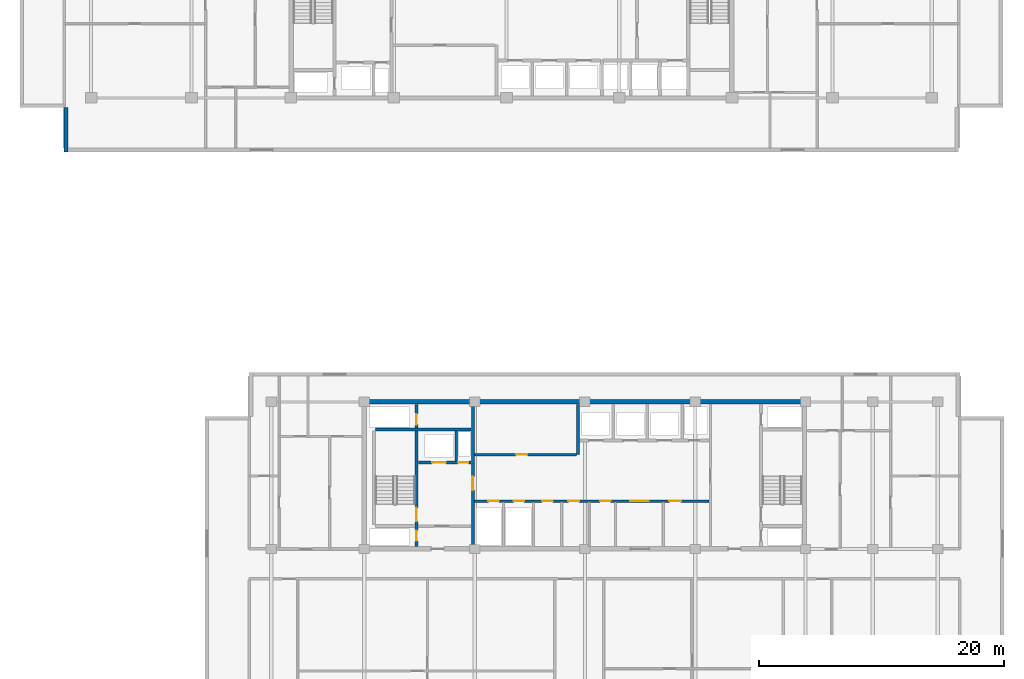
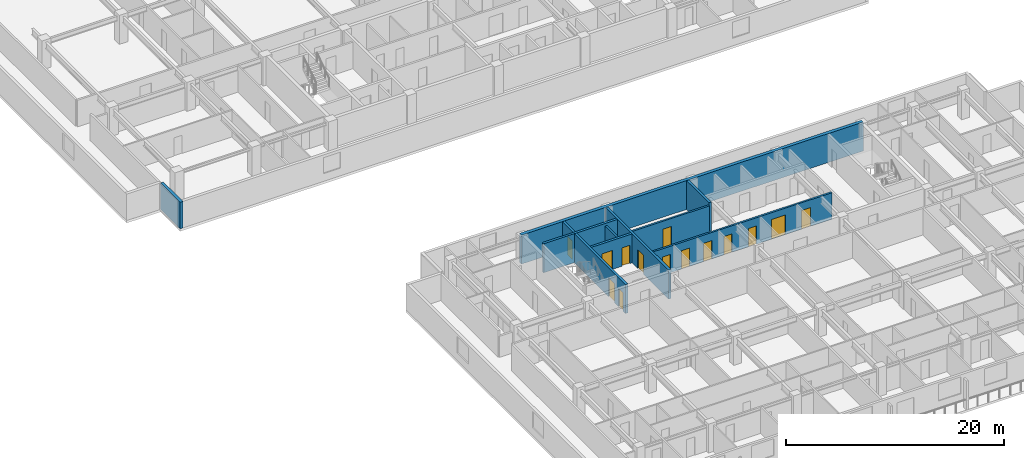
# One storey, part 7 of 22: 14 doors, 10 walls, 14 openings.
"""IFC4 building model written with IfcOpenShell, lengths in metres."""

from ifc_helpers import new_model, si_unit, direction, frame, frame_2d, origin, place, context, subcontext, project, spatial, rectangle, extrude, material, layer, layer_set, type_object, element, fill, save


model = new_model("IFC4")

# Units and contexts
model_context = context("Model", 3, precision=1e-05, world=origin(), true_north=direction((0.0, 1.0)))
body_context = subcontext(model_context, "Body", "Model", "MODEL_VIEW")
ifc_project = project(units=[si_unit("LENGTHUNIT", "METRE"), si_unit("AREAUNIT", "SQUARE_METRE"), si_unit("VOLUMEUNIT", "CUBIC_METRE"), si_unit("PLANEANGLEUNIT", "RADIAN"), si_unit("MASSUNIT", "GRAM", prefix="KILO")], contexts=[model_context])

# Site, building, storey
site_placement = place(None, origin())
site = spatial("IfcSite", under=ifc_project, at=site_placement, CompositionType="ELEMENT")
building_placement = place(site_placement, origin())
building = spatial("IfcBuilding", under=site, at=building_placement, Name="Korimba Cascade Residences", CompositionType="ELEMENT")
storey_placement = place(building_placement, frame((0.0, 0.0, 126.300048828125)))
storey = spatial("IfcBuildingStorey", under=building, at=storey_placement, Name="L36", CompositionType="ELEMENT", Elevation=126.300048828125)

# Walls
ifc_material_1 = material(Name="Precast concrete C40/50", Category="concrete")
ifc_layer_1 = layer(ifc_material_1, 0.300048828125)
ifc_layer_set_1 = layer_set([ifc_layer_1], Name="Precast concrete C40/50")
wall_type_1 = type_object("IfcWallType", Name="EW-STONE-300", PredefinedType="STANDARD", material=ifc_layer_set_1)
wall_1_placement = place(storey_placement, frame((57.75, 54.39990234375, 0.0), z_axis=(0.0, 0.0, 1.0), x_axis=(0.0, -1.0, 0.0)))
element("IfcWall", 1, at=wall_1_placement, inside=storey, type_object=wall_type_1, Name="L36 T1 Perimeter Stone Wall E11", PredefinedType="STANDARD", context=body_context, shape_type="SweptSolid", body=[
    extrude(rectangle(XDim=3.599853515625, YDim=0.300048828125, at=frame_2d((1.7998046875, 0.0))), origin(), (0.0, 0.0, 1.0), 2.969970703125),
])
ifc_material_2 = material(Name="Concrete C65/80", Category="concrete")
ifc_layer_2 = layer(ifc_material_2, 0.35009765625)
ifc_layer_set_2 = layer_set([ifc_layer_2], Name="Concrete C65/80")
wall_type_2 = type_object("IfcWallType", Name="WAL-CORE-350", PredefinedType="SHEAR", material=ifc_layer_set_2)
wall_2_placement = place(storey_placement, frame((81.925048828125, 30.39990234375, 0.0), z_axis=(0.0, 0.0, 1.0), x_axis=(1.0, 0.0, 0.0)))
element("IfcWall", 2, at=wall_2_placement, inside=storey, type_object=wall_type_2, Name="L36 Core Shear Wall CW-L36-T2-N", PredefinedType="SHEAR", context=body_context, shape_type="SweptSolid", body=[
    extrude(rectangle(XDim=36.264892578125, YDim=0.35009765625, at=frame_2d((18.13232421875, 0.0))), origin(), (0.0, 0.0, 1.0), 3.25),
])
ifc_material_3 = material(Name="Concrete C40/50", Category="concrete")
ifc_layer_3 = layer(ifc_material_3, 0.199951171875)
ifc_layer_set_3 = layer_set([ifc_layer_3], Name="Concrete C40/50")
wall_type_3 = type_object("IfcWallType", Name="WAL-PART-200", PredefinedType="PARTITIONING", material=ifc_layer_set_3)
wall_3_placement = place(storey_placement, frame((89.60009765625, 25.580078125, 0.0), z_axis=(0.0, 0.0, 1.0), x_axis=(0.0, 1.0, 0.0)))
element("IfcWall", 3, at=wall_3_placement, inside=storey, type_object=wall_type_3, Name="L36 Partition Wall CW-L36-T2-FFLDIV", PredefinedType="PARTITIONING", context=body_context, shape_type="SweptSolid", body=[
    extrude(rectangle(XDim=2.419921875, YDim=0.199951171875, at=frame_2d((1.2099609375, 0.0))), origin(), (0.0, 0.0, 1.0), 2.969970703125),
])

# Wall, opening, door
wall_4_placement = place(storey_placement, frame((91.080078125, 26.10009765625, 0.0), z_axis=(0.0, 0.0, 1.0), x_axis=(1.0, 0.0, 0.0)))
wall_4 = element("IfcWall", 4, at=wall_4_placement, inside=storey, type_object=wall_type_3, Name="L36 Partition Wall CW-L36-T2-B1RS", PredefinedType="PARTITIONING", context=body_context, shape_type="SweptSolid", body=[
    extrude(rectangle(XDim=8.33984375, YDim=0.199951171875, at=frame_2d((4.169921875, 0.0))), origin(), (0.0, 0.0, 1.0), 2.969970703125),
])
opening_1_placement = place(wall_4_placement, frame((3.39990234375, 0.0, 0.0)))
opening_1 = element("IfcOpeningElement", 5, at=opening_1_placement, cuts=wall_4, Name="Opening D-ST1", PredefinedType="OPENING", context=body_context, shape_type="SweptSolid", body=[
    extrude(rectangle(XDim=0.919921875, YDim=2.080078125, at=frame_2d((0.4599609375, 1.0400390625))), frame((0.0, 0.10986328125, 0.0), z_axis=(0.0, -1.0, 0.0), x_axis=(1.0, 0.0, 0.0)), (0.0, 0.0, 1.0), 0.219970703125),
])
ifc_material_4 = material(Name="Fire-Rated Core Store Door", Category="wood")
door_type_1 = type_object("IfcDoorType", Name="DR-FD60-920", OperationType="NOTDEFINED", PredefinedType="DOOR", material=ifc_material_4)
door_1_placement = place(opening_1_placement, origin())
door_1 = element("IfcDoor", 6, at=door_1_placement, inside=storey, type_object=door_type_1, Name="L36 T2 Resident Storage Door", OperationType="SINGLE_SWING_LEFT", OverallHeight=2.080078125, OverallWidth=0.919921875, PredefinedType="DOOR", context=body_context, shape_type="SweptSolid", body=[
    extrude(rectangle(XDim=0.919921875, YDim=2.080078125, at=frame_2d((0.4599609375, 1.0400390625))), frame((0.0, 0.02490234375, 0.0), z_axis=(0.0, -1.0, 0.0), x_axis=(1.0, 0.0, 0.0)), (0.0, 0.0, 1.0), 0.050048828125),
])
fill(opening_1, door_1)

# Wall, openings, doors
wall_5_placement = place(storey_placement, frame((91.080078125, 22.300048828125, 0.0), z_axis=(0.0, 0.0, 1.0), x_axis=(1.0, 0.0, 0.0)))
wall_5 = element("IfcWall", 7, at=wall_5_placement, inside=storey, type_object=wall_type_3, Name="L36 Partition Wall CW-L36-T2-SRVROW", PredefinedType="PARTITIONING", context=body_context, shape_type="SweptSolid", body=[
    extrude(rectangle(XDim=19.139892578125, YDim=0.199951171875, at=frame_2d((9.56982421875, 0.0))), origin(), (0.0, 0.0, 1.0), 2.969970703125),
])
opening_2_placement = place(wall_5_placement, frame((1.14990234375, 0.0, 0.0)))
opening_2 = element("IfcOpeningElement", 8, at=opening_2_placement, cuts=wall_5, Name="Opening D-RS1", PredefinedType="OPENING", context=body_context, shape_type="SweptSolid", body=[
    extrude(rectangle(XDim=0.85009765625, YDim=2.050048828125, at=frame_2d((0.425048828125, 1.02490234375))), frame((0.0, 0.10986328125, 0.0), z_axis=(0.0, -1.0, 0.0), x_axis=(1.0, 0.0, 0.0)), (0.0, 0.0, 1.0), 0.219970703125),
])
opening_3_placement = place(wall_5_placement, frame((3.199951171875, 0.0, 0.0)))
opening_3 = element("IfcOpeningElement", 9, at=opening_3_placement, cuts=wall_5, Name="Opening D-RS1", PredefinedType="OPENING", context=body_context, shape_type="SweptSolid", body=[
    extrude(rectangle(XDim=0.85009765625, YDim=2.050048828125, at=frame_2d((0.425048828125, 1.02490234375))), frame((0.0, 0.10986328125, 0.0), z_axis=(0.0, -1.0, 0.0), x_axis=(1.0, 0.0, 0.0)), (0.0, 0.0, 1.0), 0.219970703125),
])
opening_4_placement = place(wall_5_placement, frame((12.719970703125, 0.0, 0.0)))
opening_4 = element("IfcOpeningElement", 10, at=opening_4_placement, cuts=wall_5, Name="Opening D-FD8", PredefinedType="OPENING", context=body_context, shape_type="SweptSolid", body=[
    extrude(rectangle(XDim=1.5, YDim=2.199951171875, at=frame_2d((0.75, 1.10009765625))), frame((0.0, 0.10986328125, 0.0), z_axis=(0.0, -1.0, 0.0), x_axis=(1.0, 0.0, 0.0)), (0.0, 0.0, 1.0), 0.219970703125),
])
opening_5_placement = place(wall_5_placement, frame((5.52001953125, 0.0, 0.0)))
opening_5 = element("IfcOpeningElement", 11, at=opening_5_placement, cuts=wall_5, Name="Opening D-IN2", PredefinedType="OPENING", context=body_context, shape_type="SweptSolid", body=[
    extrude(rectangle(XDim=0.8798828125, YDim=2.06005859375, at=frame_2d((0.43994140625, 1.030029296875))), frame((0.0, 0.10986328125, 0.0), z_axis=(0.0, -1.0, 0.0), x_axis=(1.0, 0.0, 0.0)), (0.0, 0.0, 1.0), 0.219970703125),
])
opening_6_placement = place(wall_5_placement, frame((7.669921875, 0.0, 0.0)))
opening_6 = element("IfcOpeningElement", 12, at=opening_6_placement, cuts=wall_5, Name="Opening D-IN2", PredefinedType="OPENING", context=body_context, shape_type="SweptSolid", body=[
    extrude(rectangle(XDim=0.8798828125, YDim=2.06005859375, at=frame_2d((0.43994140625, 1.030029296875))), frame((0.0, 0.10986328125, 0.0), z_axis=(0.0, -1.0, 0.0), x_axis=(1.0, 0.0, 0.0)), (0.0, 0.0, 1.0), 0.219970703125),
])
opening_7_placement = place(wall_5_placement, frame((10.27001953125, 0.0, 0.0)))
opening_7 = element("IfcOpeningElement", 13, at=opening_7_placement, cuts=wall_5, Name="Opening D-RS1", PredefinedType="OPENING", context=body_context, shape_type="SweptSolid", body=[
    extrude(rectangle(XDim=0.85009765625, YDim=2.050048828125, at=frame_2d((0.425048828125, 1.02490234375))), frame((0.0, 0.10986328125, 0.0), z_axis=(0.0, -1.0, 0.0), x_axis=(1.0, 0.0, 0.0)), (0.0, 0.0, 1.0), 0.219970703125),
])
opening_8_placement = place(wall_5_placement, frame((15.919921875, 0.0, 0.0)))
opening_8 = element("IfcOpeningElement", 14, at=opening_8_placement, cuts=wall_5, Name="Opening D-AC1", PredefinedType="OPENING", context=body_context, shape_type="SweptSolid", body=[
    extrude(rectangle(XDim=0.9599609375, YDim=2.10009765625, at=frame_2d((0.47998046875, 1.050048828125))), frame((0.0, 0.10986328125, 0.0), z_axis=(0.0, -1.0, 0.0), x_axis=(1.0, 0.0, 0.0)), (0.0, 0.0, 1.0), 0.219970703125),
])
ifc_material_5 = material(Name="Accessible Acoustic Timber WC Door", Category="wood")
door_type_2 = type_object("IfcDoorType", Name="DR-ACC-950", OperationType="NOTDEFINED", PredefinedType="DOOR", material=ifc_material_5)
door_2_placement = place(opening_8_placement, origin())
door_2 = element("IfcDoor", 15, at=door_2_placement, inside=storey, type_object=door_type_2, Name="L36 T2 Accessible Staff WC Door", OperationType="SINGLE_SWING_RIGHT", OverallHeight=2.10009765625, OverallWidth=0.9599609375, PredefinedType="DOOR", context=body_context, shape_type="SweptSolid", body=[
    extrude(rectangle(XDim=0.9599609375, YDim=2.10009765625, at=frame_2d((0.47998046875, 1.050048828125))), frame((0.0, 0.02490234375, 0.0), z_axis=(0.0, -1.0, 0.0), x_axis=(1.0, 0.0, 0.0)), (0.0, 0.0, 1.0), 0.050048828125),
])
fill(opening_8, door_2)
ifc_material_6 = material(Name="Fire-Rated Steel Riser Access Door", Category="steel")
door_type_3 = type_object("IfcDoorType", Name="DR-FD60-850", OperationType="NOTDEFINED", PredefinedType="DOOR", material=ifc_material_6)
door_3_placement = place(opening_2_placement, origin())
door_3 = element("IfcDoor", 16, at=door_3_placement, inside=storey, type_object=door_type_3, Name="L36 T2 Electrical Riser Door", OperationType="SINGLE_SWING_LEFT", OverallHeight=2.050048828125, OverallWidth=0.85009765625, PredefinedType="DOOR", context=body_context, shape_type="SweptSolid", body=[
    extrude(rectangle(XDim=0.85009765625, YDim=2.050048828125, at=frame_2d((0.425048828125, 1.02490234375))), frame((0.0, 0.02490234375, 0.0), z_axis=(0.0, -1.0, 0.0), x_axis=(1.0, 0.0, 0.0)), (0.0, 0.0, 1.0), 0.050048828125),
])
fill(opening_2, door_3)
door_4_placement = place(opening_3_placement, origin())
door_4 = element("IfcDoor", 17, at=door_4_placement, inside=storey, type_object=door_type_3, Name="L36 T2 Plumbing Riser Door", OperationType="SINGLE_SWING_RIGHT", OverallHeight=2.050048828125, OverallWidth=0.85009765625, PredefinedType="DOOR", context=body_context, shape_type="SweptSolid", body=[
    extrude(rectangle(XDim=0.85009765625, YDim=2.050048828125, at=frame_2d((0.425048828125, 1.02490234375))), frame((0.0, 0.02490234375, 0.0), z_axis=(0.0, -1.0, 0.0), x_axis=(1.0, 0.0, 0.0)), (0.0, 0.0, 1.0), 0.050048828125),
])
fill(opening_3, door_4)
door_5_placement = place(opening_7_placement, origin())
door_5 = element("IfcDoor", 18, at=door_5_placement, inside=storey, type_object=door_type_3, Name="L36 T2 IT Room Door", OperationType="SINGLE_SWING_LEFT", OverallHeight=2.050048828125, OverallWidth=0.85009765625, PredefinedType="DOOR", context=body_context, shape_type="SweptSolid", body=[
    extrude(rectangle(XDim=0.85009765625, YDim=2.050048828125, at=frame_2d((0.425048828125, 1.02490234375))), frame((0.0, 0.02490234375, 0.0), z_axis=(0.0, -1.0, 0.0), x_axis=(1.0, 0.0, 0.0)), (0.0, 0.0, 1.0), 0.050048828125),
])
fill(opening_7, door_5)
ifc_material_7 = material(Name="Fire-Rated Glazed Lift Lobby Double Door", Category="glass")
door_type_4 = type_object("IfcDoorType", Name="DR-FD90-1500", OperationType="NOTDEFINED", PredefinedType="DOOR", material=ifc_material_7)
door_6_placement = place(opening_4_placement, origin())
door_6 = element("IfcDoor", 19, at=door_6_placement, inside=storey, type_object=door_type_4, Name="L36 T2 Lift Lobby Foyer Door", OperationType="DOUBLE_DOOR_SINGLE_SWING", OverallHeight=2.199951171875, OverallWidth=1.5, PredefinedType="DOOR", context=body_context, shape_type="SweptSolid", body=[
    extrude(rectangle(XDim=1.5, YDim=2.199951171875, at=frame_2d((0.75, 1.10009765625))), frame((0.0, 0.02490234375, 0.0), z_axis=(0.0, -1.0, 0.0), x_axis=(1.0, 0.0, 0.0)), (0.0, 0.0, 1.0), 0.050048828125),
])
fill(opening_4, door_6)
ifc_material_8 = material(Name="Acoustic Timber Bedroom Door", Category="wood")
door_type_5 = type_object("IfcDoorType", Name="DR-INT-880", OperationType="NOTDEFINED", PredefinedType="DOOR", material=ifc_material_8)
door_7_placement = place(opening_5_placement, origin())
door_7 = element("IfcDoor", 20, at=door_7_placement, inside=storey, type_object=door_type_5, Name="L36 T2 Cleaners Door", OperationType="SINGLE_SWING_LEFT", OverallHeight=2.06005859375, OverallWidth=0.8798828125, PredefinedType="DOOR", context=body_context, shape_type="SweptSolid", body=[
    extrude(rectangle(XDim=0.8798828125, YDim=2.06005859375, at=frame_2d((0.43994140625, 1.030029296875))), frame((0.0, 0.02490234375, 0.0), z_axis=(0.0, -1.0, 0.0), x_axis=(1.0, 0.0, 0.0)), (0.0, 0.0, 1.0), 0.050048828125),
])
fill(opening_5, door_7)
door_8_placement = place(opening_6_placement, origin())
door_8 = element("IfcDoor", 21, at=door_8_placement, inside=storey, type_object=door_type_5, Name="L36 T2 Pantry Door", OperationType="SINGLE_SWING_RIGHT", OverallHeight=2.06005859375, OverallWidth=0.8798828125, PredefinedType="DOOR", context=body_context, shape_type="SweptSolid", body=[
    extrude(rectangle(XDim=0.8798828125, YDim=2.06005859375, at=frame_2d((0.43994140625, 1.030029296875))), frame((0.0, 0.02490234375, 0.0), z_axis=(0.0, -1.0, 0.0), x_axis=(1.0, 0.0, 0.0)), (0.0, 0.0, 1.0), 0.050048828125),
])
fill(opening_6, door_8)

ifc_material_9 = material(Name="Concrete C50/60", Category="concrete")
ifc_layer_4 = layer(ifc_material_9, 0.25)
ifc_layer_set_4 = layer_set([ifc_layer_4], Name="Concrete C50/60")
wall_type_4 = type_object("IfcWallType", Name="WAL-SHAFT-250", PredefinedType="SHEAR", material=ifc_layer_set_4)
wall_6_placement = place(storey_placement, frame((86.364990234375, 18.60009765625, 0.0), z_axis=(0.0, 0.0, 1.0), x_axis=(0.0, 1.0, 0.0)))
wall_6 = element("IfcWall", 22, at=wall_6_placement, inside=storey, type_object=wall_type_4, Name="L36 Core Shear Wall CW-L36-T2-STE1E", PredefinedType="SHEAR", context=body_context, shape_type="SweptSolid", body=[
    extrude(rectangle(XDim=11.599853515625, YDim=0.25, at=frame_2d((5.7998046875, 0.0))), origin(), (0.0, 0.0, 1.0), 3.25),
])
opening_9_placement = place(wall_6_placement, frame((0.449951171875, 0.0, 0.0)))
opening_9 = element("IfcOpeningElement", 23, at=opening_9_placement, cuts=wall_6, Name="Opening D-RS1", PredefinedType="OPENING", context=body_context, shape_type="SweptSolid", body=[
    extrude(rectangle(XDim=0.85009765625, YDim=2.050048828125, at=frame_2d((0.425048828125, 1.02490234375))), frame((0.0, 0.135009765625, 0.0), z_axis=(0.0, -1.0, 0.0), x_axis=(1.0, 0.0, 0.0)), (0.0, 0.0, 1.0), 0.27001953125),
])
opening_10_placement = place(wall_6_placement, frame((2.050048828125, 0.0, 0.0)))
opening_10 = element("IfcOpeningElement", 24, at=opening_10_placement, cuts=wall_6, Name="Opening D-FD1", PredefinedType="OPENING", context=body_context, shape_type="SweptSolid", body=[
    extrude(rectangle(XDim=1.10009765625, YDim=2.10009765625, at=frame_2d((0.550048828125, 1.050048828125))), frame((0.0, 0.135009765625, 0.0), z_axis=(0.0, -1.0, 0.0), x_axis=(1.0, 0.0, 0.0)), (0.0, 0.0, 1.0), 0.27001953125),
])
opening_11_placement = place(wall_6_placement, frame((9.949951171875, 0.0, 0.0)))
opening_11 = element("IfcOpeningElement", 25, at=opening_11_placement, cuts=wall_6, Name="Opening D-RS1", PredefinedType="OPENING", context=body_context, shape_type="SweptSolid", body=[
    extrude(rectangle(XDim=0.85009765625, YDim=2.050048828125, at=frame_2d((0.425048828125, 1.02490234375))), frame((0.0, 0.135009765625, 0.0), z_axis=(0.0, -1.0, 0.0), x_axis=(1.0, 0.0, 0.0)), (0.0, 0.0, 1.0), 0.27001953125),
])
ifc_material_10 = material(Name="Fire-Rated Steel Core Door", Category="steel")
door_type_6 = type_object("IfcDoorType", Name="DR-FD120-1100", OperationType="NOTDEFINED", PredefinedType="DOOR", material=ifc_material_10)
door_9_placement = place(opening_10_placement, origin())
door_9 = element("IfcDoor", 26, at=door_9_placement, inside=storey, type_object=door_type_6, Name="L36 Fire Stair ST-E1 Door", OperationType="SINGLE_SWING_RIGHT", OverallHeight=2.10009765625, OverallWidth=1.10009765625, PredefinedType="DOOR", context=body_context, shape_type="SweptSolid", body=[
    extrude(rectangle(XDim=1.10009765625, YDim=2.10009765625, at=frame_2d((0.550048828125, 1.050048828125))), frame((0.0, 0.02490234375, 0.0), z_axis=(0.0, -1.0, 0.0), x_axis=(1.0, 0.0, 0.0)), (0.0, 0.0, 1.0), 0.050048828125),
])
fill(opening_10, door_9)
door_10_placement = place(opening_9_placement, origin())
door_10 = element("IfcDoor", 27, at=door_10_placement, inside=storey, type_object=door_type_3, Name="L36 T2 Hydrant Riser Door", OperationType="SINGLE_SWING_LEFT", OverallHeight=2.050048828125, OverallWidth=0.85009765625, PredefinedType="DOOR", context=body_context, shape_type="SweptSolid", body=[
    extrude(rectangle(XDim=0.85009765625, YDim=2.050048828125, at=frame_2d((0.425048828125, 1.02490234375))), frame((0.0, 0.02490234375, 0.0), z_axis=(0.0, -1.0, 0.0), x_axis=(1.0, 0.0, 0.0)), (0.0, 0.0, 1.0), 0.050048828125),
])
fill(opening_9, door_10)
door_11_placement = place(opening_11_placement, origin())
door_11 = element("IfcDoor", 28, at=door_11_placement, inside=storey, type_object=door_type_3, Name="L36 T2 Smoke Shaft Door", OperationType="SINGLE_SWING_LEFT", OverallHeight=2.050048828125, OverallWidth=0.85009765625, PredefinedType="DOOR", context=body_context, shape_type="SweptSolid", body=[
    extrude(rectangle(XDim=0.85009765625, YDim=2.050048828125, at=frame_2d((0.425048828125, 1.02490234375))), frame((0.0, 0.02490234375, 0.0), z_axis=(0.0, -1.0, 0.0), x_axis=(1.0, 0.0, 0.0)), (0.0, 0.0, 1.0), 0.050048828125),
])
fill(opening_11, door_11)

# Wall
wall_7_placement = place(storey_placement, frame((83.0, 28.125, 0.0), z_axis=(0.0, 0.0, 1.0), x_axis=(1.0, 0.0, 0.0)))
element("IfcWall", 29, at=wall_7_placement, inside=storey, type_object=wall_type_4, Name="L36 Core Shear Wall CW-L36-T2-STE1N", PredefinedType="SHEAR", context=body_context, shape_type="SweptSolid", body=[
    extrude(rectangle(XDim=7.820068359375, YDim=0.25, at=frame_2d((3.91015625, 0.0))), origin(), (0.0, 0.0, 1.0), 3.25),
])

# Wall, openings, doors
wall_8_placement = place(storey_placement, frame((86.5, 25.449951171875, 0.0), z_axis=(0.0, 0.0, 1.0), x_axis=(1.0, 0.0, 0.0)))
wall_8 = element("IfcWall", 30, at=wall_8_placement, inside=storey, type_object=wall_type_4, Name="L36 Core Shear Wall CW-L36-T2-FFLN", PredefinedType="SHEAR", context=body_context, shape_type="SweptSolid", body=[
    extrude(rectangle(XDim=4.320068359375, YDim=0.25, at=frame_2d((2.16015625, 0.0))), origin(), (0.0, 0.0, 1.0), 3.25),
])
opening_12_placement = place(wall_8_placement, frame((1.139892578125, 0.0, 0.0)))
opening_12 = element("IfcOpeningElement", 31, at=opening_12_placement, cuts=wall_8, Name="Opening LD-01", PredefinedType="OPENING", context=body_context, shape_type="SweptSolid", body=[
    extrude(rectangle(XDim=1.1201171875, YDim=2.1201171875, at=frame_2d((0.56005859375, 1.06005859375))), frame((0.0, 0.135009765625, 0.0), z_axis=(0.0, -1.0, 0.0), x_axis=(1.0, 0.0, 0.0)), (0.0, 0.0, 1.0), 0.27001953125),
])
opening_13_placement = place(wall_8_placement, frame((3.25, 0.0, 0.0)))
opening_13 = element("IfcOpeningElement", 32, at=opening_13_placement, cuts=wall_8, Name="Opening D-RS1", PredefinedType="OPENING", context=body_context, shape_type="SweptSolid", body=[
    extrude(rectangle(XDim=0.85009765625, YDim=2.050048828125, at=frame_2d((0.425048828125, 1.02490234375))), frame((0.0, 0.135009765625, 0.0), z_axis=(0.0, -1.0, 0.0), x_axis=(1.0, 0.0, 0.0)), (0.0, 0.0, 1.0), 0.27001953125),
])
door_12_placement = place(opening_13_placement, origin())
door_12 = element("IfcDoor", 33, at=door_12_placement, inside=storey, type_object=door_type_3, Name="L36 T2 Pressurisation Riser Door", OperationType="SINGLE_SWING_RIGHT", OverallHeight=2.050048828125, OverallWidth=0.85009765625, PredefinedType="DOOR", context=body_context, shape_type="SweptSolid", body=[
    extrude(rectangle(XDim=0.85009765625, YDim=2.050048828125, at=frame_2d((0.425048828125, 1.02490234375))), frame((0.0, 0.02490234375, 0.0), z_axis=(0.0, -1.0, 0.0), x_axis=(1.0, 0.0, 0.0)), (0.0, 0.0, 1.0), 0.050048828125),
])
fill(opening_13, door_12)
ifc_material_11 = material(Name="Stainless Steel Lift Landing Sliding Door", Category="steel")
door_type_7 = type_object("IfcDoorType", Name="DR-LIFT-1100", OperationType="NOTDEFINED", PredefinedType="DOOR", material=ifc_material_11)
door_13_placement = place(opening_12_placement, origin())
door_13 = element("IfcDoor", 34, at=door_13_placement, inside=storey, type_object=door_type_7, Name="L36 Firefighting Lift Landing Door FFL-E1", OperationType="SLIDING_TO_RIGHT", OverallHeight=2.1201171875, OverallWidth=1.1201171875, PredefinedType="DOOR", context=body_context, shape_type="SweptSolid", body=[
    extrude(rectangle(XDim=1.1201171875, YDim=2.1201171875, at=frame_2d((0.56005859375, 1.06005859375))), frame((0.0, 0.02490234375, 0.0), z_axis=(0.0, -1.0, 0.0), x_axis=(1.0, 0.0, 0.0)), (0.0, 0.0, 1.0), 0.050048828125),
])
fill(opening_12, door_13)

# Wall, opening, door
wall_9_placement = place(storey_placement, frame((90.949951171875, 18.60009765625, 0.0), z_axis=(0.0, 0.0, 1.0), x_axis=(0.0, 1.0, 0.0)))
wall_9 = element("IfcWall", 35, at=wall_9_placement, inside=storey, type_object=wall_type_4, Name="L36 Core Shear Wall CW-L36-T2-FFLE", PredefinedType="SHEAR", context=body_context, shape_type="SweptSolid", body=[
    extrude(rectangle(XDim=11.599853515625, YDim=0.25, at=frame_2d((5.7998046875, 0.0))), origin(), (0.0, 0.0, 1.0), 3.25),
])
opening_14_placement = place(wall_9_placement, frame((4.60009765625, 0.0, 0.0)))
opening_14 = element("IfcOpeningElement", 36, at=opening_14_placement, cuts=wall_9, Name="Opening D-FD1", PredefinedType="OPENING", context=body_context, shape_type="SweptSolid", body=[
    extrude(rectangle(XDim=1.10009765625, YDim=2.10009765625, at=frame_2d((0.550048828125, 1.050048828125))), frame((0.0, 0.135009765625, 0.0), z_axis=(0.0, -1.0, 0.0), x_axis=(1.0, 0.0, 0.0)), (0.0, 0.0, 1.0), 0.27001953125),
])
door_14_placement = place(opening_14_placement, origin())
door_14 = element("IfcDoor", 37, at=door_14_placement, inside=storey, type_object=door_type_6, Name="L36 T2 Firefighting Lobby to Lift Lobby Door", OperationType="SINGLE_SWING_RIGHT", OverallHeight=2.10009765625, OverallWidth=1.10009765625, PredefinedType="DOOR", context=body_context, shape_type="SweptSolid", body=[
    extrude(rectangle(XDim=1.10009765625, YDim=2.10009765625, at=frame_2d((0.550048828125, 1.050048828125))), frame((0.0, 0.02490234375, 0.0), z_axis=(0.0, -1.0, 0.0), x_axis=(1.0, 0.0, 0.0)), (0.0, 0.0, 1.0), 0.050048828125),
])
fill(opening_14, door_14)

# Wall
wall_10_placement = place(storey_placement, frame((99.550048828125, 26.10009765625, 0.0), z_axis=(0.0, 0.0, 1.0), x_axis=(0.0, 1.0, 0.0)))
element("IfcWall", 38, at=wall_10_placement, inside=storey, type_object=wall_type_4, Name="L36 Core Shear Wall CW-L36-T2-B12DIV", PredefinedType="SHEAR", context=body_context, shape_type="SweptSolid", body=[
    extrude(rectangle(XDim=4.099853515625, YDim=0.25, at=frame_2d((2.0498046875, 0.0))), origin(), (0.0, 0.0, 1.0), 3.25),
])

save(model, "model.ifc")
